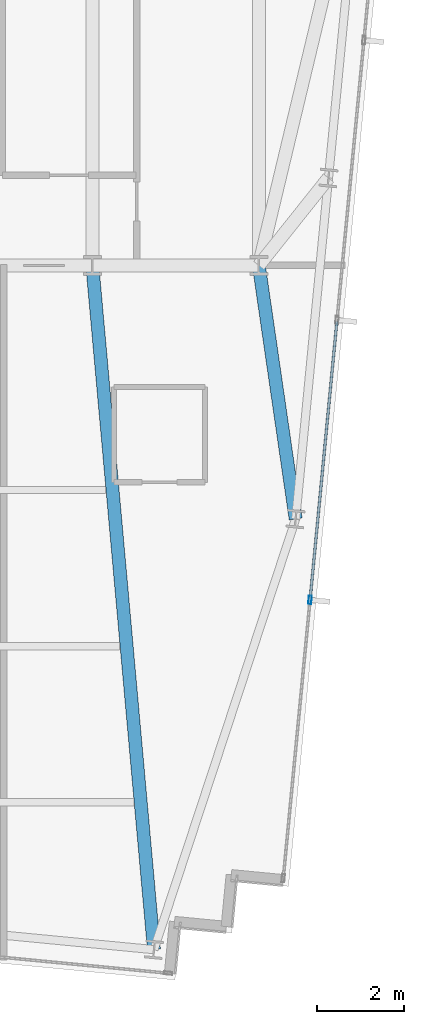
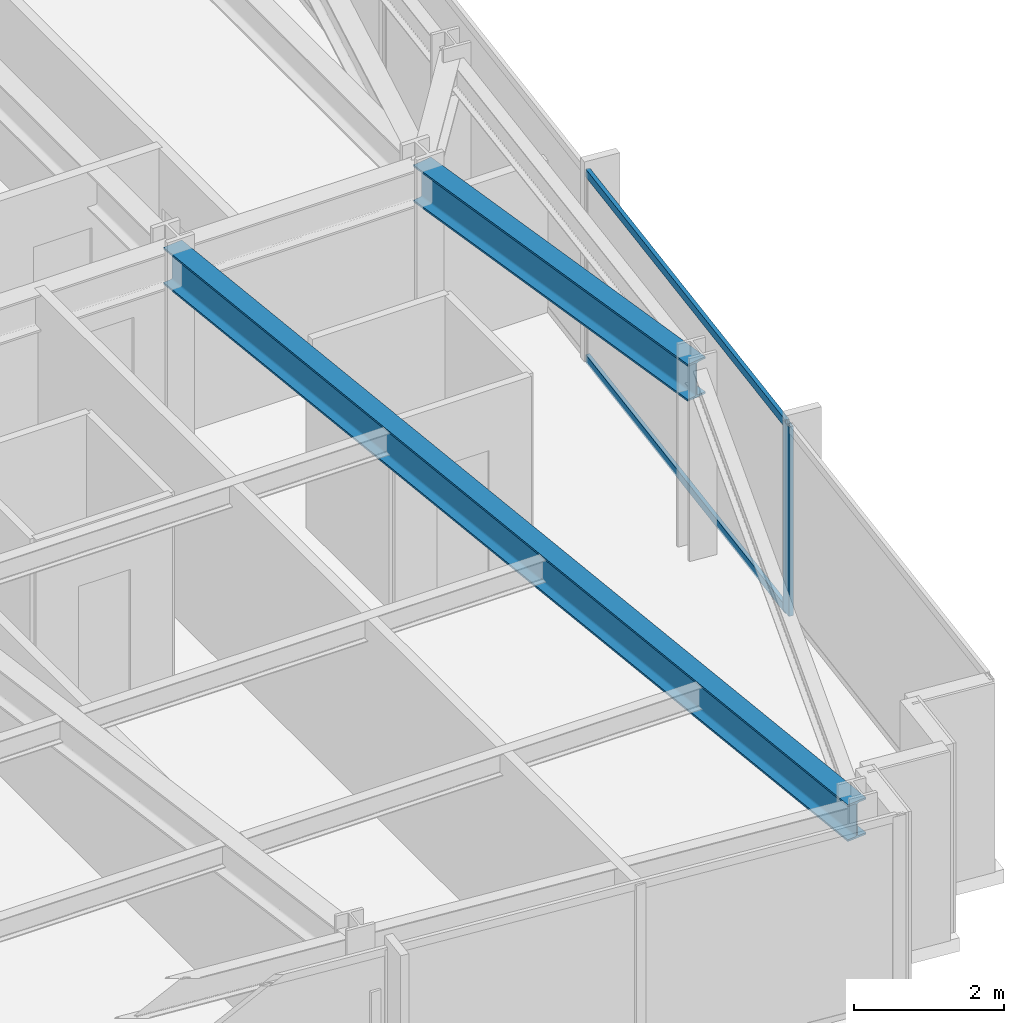
# One storey, part 15 of 37: 3 members, 2 beams, 1 element without a shape of its own.
"""IFC4 building model written with IfcOpenShell, lengths in metres."""

from ifc_helpers import new_model, si_unit, direction, frame, origin, origin_2d, place, context, subcontext, project, spatial, hollow_rectangle, i_section, extrude, material, material_profile, profile_set, type_object, element, aggregate, save


model = new_model("IFC4")

# Units and contexts
model_context = context("Model", 3, precision=1e-05, world=origin(), true_north=direction((0.0, 1.0)))
body_context = subcontext(model_context, "Body", "Model", "MODEL_VIEW")
ifc_project = project(units=[si_unit("LENGTHUNIT", "METRE"), si_unit("AREAUNIT", "SQUARE_METRE"), si_unit("VOLUMEUNIT", "CUBIC_METRE"), si_unit("PLANEANGLEUNIT", "RADIAN"), si_unit("MASSUNIT", "GRAM", prefix="KILO")], contexts=[model_context])

# Site, building, storey
site_placement = place(None, origin())
site = spatial("IfcSite", under=ifc_project, at=site_placement, CompositionType="ELEMENT")
building_placement = place(site_placement, origin())
building = spatial("IfcBuilding", under=site, at=building_placement, Name="Yelkora Congress Tower", CompositionType="ELEMENT")
storey_placement = place(building_placement, frame((0.0, 0.0, 162.199951171875)))
storey = spatial("IfcBuildingStorey", under=building, at=storey_placement, Name="L44", CompositionType="ELEMENT", Elevation=162.199951171875)

# Beams
ifc_material_1 = material(Name="Steel S355J2", Category="steel")
ifc_material_profile_1 = material_profile(ifc_material_1, i_section(OverallWidth=0.300048828125, OverallDepth=0.60009765625, WebThickness=0.015380859375, FlangeThickness=0.030029296875, FilletRadius=0.027099609375, at=origin_2d()), Name="HEB 600")
ifc_profile_set_1 = profile_set([ifc_material_profile_1], Name="Steel S355J2")
beam_type = type_object("IfcBeamType", Name="BM-GIRD-HEB600", PredefinedType="BEAM", material=ifc_profile_set_1)
beam_1_placement = place(storey_placement, frame((55.18212890625, 9.421142578125, 2.780029296875), z_axis=(-0.089764575953, 0.995963011815, 0.0), x_axis=(-0.995963011815, -0.089764575953, 0.0)))
element("IfcBeam", 1, at=beam_1_placement, inside=storey, type_object=beam_type, Name="L44 Primary Frame Girder S08", PredefinedType="BEAM", context=body_context, shape_type="SweptSolid", body=[
    extrude(i_section(OverallWidth=0.300048828125, OverallDepth=0.60009765625, WebThickness=0.015380859375, FlangeThickness=0.030029296875, FilletRadius=0.027099609375, at=origin_2d()), origin(), (0.0, 0.0, 1.0), 15.8427734375),
])
beam_2_placement = place(storey_placement, frame((58.44921875, 19.353759765625, 2.780029296875), z_axis=(-0.143735281382, 0.989616172506, 0.0), x_axis=(-0.989616172506, -0.143735281382, 0.0)))
element("IfcBeam", 2, at=beam_2_placement, inside=storey, type_object=beam_type, Name="L44 Primary Frame Girder E01", PredefinedType="BEAM", context=body_context, shape_type="SweptSolid", body=[
    extrude(i_section(OverallWidth=0.300048828125, OverallDepth=0.60009765625, WebThickness=0.015380859375, FlangeThickness=0.030029296875, FilletRadius=0.027099609375, at=origin_2d()), origin(), (0.0, 0.0, 1.0), 5.907470703125),
])

# Curtain wall, members
ifc_material_2 = material(Name="Anodised aluminium and insulated glass", Category="aluminium")
curtain_wall_type = type_object("IfcCurtainWallType", Name="CW-SYS-B3", PredefinedType="NOTDEFINED", material=ifc_material_2)
curtain_wall_placement = place(storey_placement, origin())
curtain_wall = element("IfcCurtainWall", 3, at=curtain_wall_placement, inside=storey, type_object=curtain_wall_type, Name="L44 Unitised Curtain Wall 15", PredefinedType="NOTDEFINED")
ifc_material_3 = material(Name="Anodised aluminium 6063-T6", Category="aluminium")
ifc_material_profile_2 = material_profile(ifc_material_3, hollow_rectangle(XDim=0.070068359375, YDim=0.18994140625, WallThickness=0.00390625, at=origin_2d()), Name="ALU 70x190x4")
ifc_profile_set_2 = profile_set([ifc_material_profile_2], Name="Anodised aluminium 6063-T6")
member_type_1 = type_object("IfcMemberType", Name="MEM-ML-B3", PredefinedType="MULLION", material=ifc_profile_set_2)
member_1_placement = place(storey_placement, frame((58.78173828125, 17.4873046875, 0.0), z_axis=(0.0, 0.0, 1.0), x_axis=(0.995396565076, -0.095841944023, 0.0)))
member_1 = element("IfcMember", 4, at=member_1_placement, type_object=member_type_1, Name="CW-B3 mullion 5", PredefinedType="MULLION", context=body_context, shape_type="SweptSolid", body=[
    extrude(hollow_rectangle(XDim=0.070068359375, YDim=0.18994140625, WallThickness=0.00390625, at=origin_2d()), origin(), (0.0, 0.0, 1.0), 3.080078125),
])
ifc_material_profile_3 = material_profile(ifc_material_3, hollow_rectangle(XDim=0.06005859375, YDim=0.1298828125, WallThickness=0.00390625, at=origin_2d()), Name="ALU 60x130x4")
ifc_profile_set_3 = profile_set([ifc_material_profile_3], Name="Anodised aluminium 6063-T6")
member_type_2 = type_object("IfcMemberType", Name="MEM-TR-B3", PredefinedType="USERDEFINED", material=ifc_profile_set_3)
member_2_placement = place(storey_placement, frame((59.39990234375, 23.90673828125, 0.030029296875), z_axis=(-0.095843682057, -0.995396397728, 0.0), x_axis=(0.995396397728, -0.095843682057, 0.0)))
member_2 = element("IfcMember", 5, at=member_2_placement, type_object=member_type_2, Name="CW-B3 transom 4.1", ObjectType="TRANSOM", PredefinedType="USERDEFINED", context=body_context, shape_type="SweptSolid", body=[
    extrude(hollow_rectangle(XDim=0.06005859375, YDim=0.1298828125, WallThickness=0.00390625, at=origin_2d()), origin(), (0.0, 0.0, 1.0), 6.4140625),
])
member_3_placement = place(storey_placement, frame((59.39990234375, 23.90673828125, 3.050048828125), z_axis=(-0.095843682057, -0.995396397728, 0.0), x_axis=(0.995396397728, -0.095843682057, 0.0)))
member_3 = element("IfcMember", 6, at=member_3_placement, type_object=member_type_2, Name="CW-B3 transom 4.2", ObjectType="TRANSOM", PredefinedType="USERDEFINED", context=body_context, shape_type="SweptSolid", body=[
    extrude(hollow_rectangle(XDim=0.06005859375, YDim=0.1298828125, WallThickness=0.00390625, at=origin_2d()), origin(), (0.0, 0.0, 1.0), 6.4140625),
])
aggregate(curtain_wall, [member_1, member_2, member_3])

save(model, "model.ifc")
